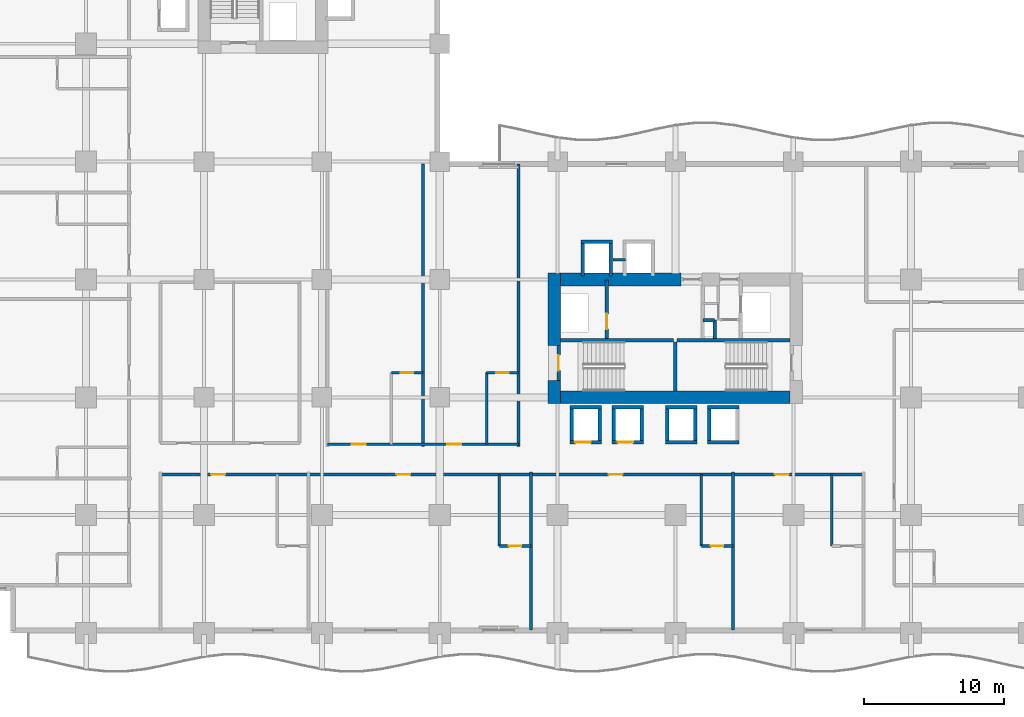
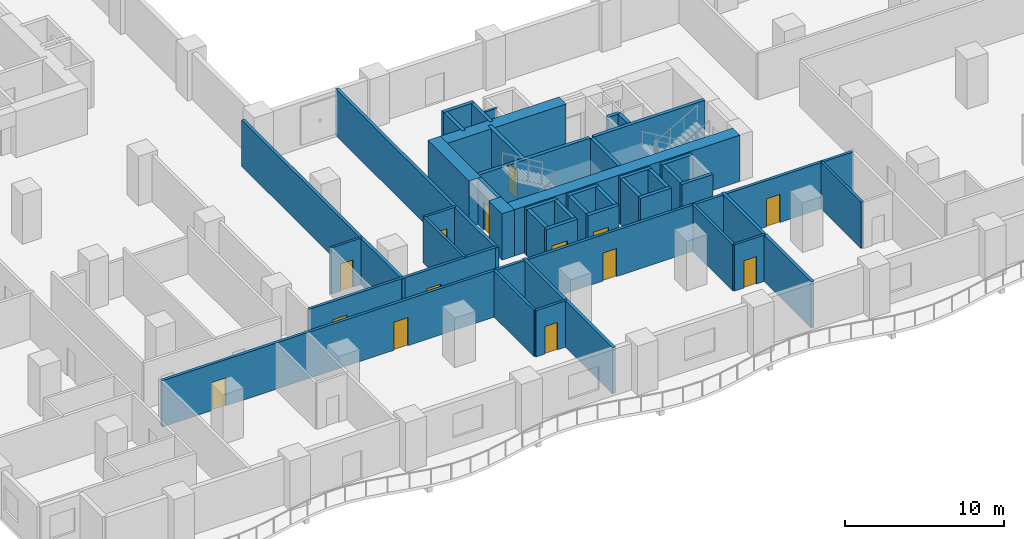
# One storey, part 6 of 20: 44 walls, 14 doors, 14 openings.
"""IFC4 building model written with IfcOpenShell, lengths in metres."""

from ifc_helpers import new_model, si_unit, direction, frame, frame_2d, origin, place, context, subcontext, project, spatial, rectangle, extrude, material, layer, layer_set, type_object, element, fill, save


model = new_model("IFC4")

# Units and contexts
model_context = context("Model", 3, precision=1e-05, world=origin(), true_north=direction((0.0, 1.0)))
body_context = subcontext(model_context, "Body", "Model", "MODEL_VIEW")
ifc_project = project(units=[si_unit("LENGTHUNIT", "METRE"), si_unit("AREAUNIT", "SQUARE_METRE"), si_unit("VOLUMEUNIT", "CUBIC_METRE"), si_unit("PLANEANGLEUNIT", "RADIAN"), si_unit("MASSUNIT", "GRAM", prefix="KILO")], contexts=[model_context])

# Site, building, storey
site_placement = place(None, origin())
site = spatial("IfcSite", under=ifc_project, at=site_placement, CompositionType="ELEMENT")
building_placement = place(site_placement, origin())
building = spatial("IfcBuilding", under=site, at=building_placement, Name="Koriwani Terraces Tower", CompositionType="ELEMENT")
storey_placement = place(building_placement, frame((0.0, 0.0, 73.800048828125)))
storey = spatial("IfcBuildingStorey", under=building, at=storey_placement, Name="L17", CompositionType="ELEMENT", Elevation=73.800048828125)

# Walls
ifc_material_1 = material(Name="Concrete C60/75", Category="concrete")
ifc_layer_1 = layer(ifc_material_1, 0.89990234375, Name="Concrete C60/75")
ifc_layer_set_1 = layer_set([ifc_layer_1], Name="Concrete C60/75")
wall_type_1 = type_object("IfcWallType", Name="WALL_CORE_RC_900", PredefinedType="SHEAR", material=ifc_layer_set_1)
wall_1_placement = place(storey_placement, frame((41.75, 16.35009765625, 0.0), z_axis=(0.0, 0.0, 1.0), x_axis=(0.0, 1.0, 0.0)))
element("IfcWall", 1, at=wall_1_placement, inside=storey, type_object=wall_type_1, Name="L17 East Split Core Shear Wall W1", PredefinedType="SHEAR", context=body_context, shape_type="SweptSolid", body=[
    extrude(rectangle(XDim=1.64990234375, YDim=0.89990234375, at=frame_2d((0.824951171875, 0.0))), origin(), (0.0, 0.0, 1.0), 3.550048828125),
])
wall_2_placement = place(storey_placement, frame((41.75, 20.5, 0.0), z_axis=(0.0, 0.0, 1.0), x_axis=(0.0, 1.0, 0.0)))
element("IfcWall", 2, at=wall_2_placement, inside=storey, type_object=wall_type_1, Name="L17 East Split Core Shear Wall W2", PredefinedType="SHEAR", context=body_context, shape_type="SweptSolid", body=[
    extrude(rectangle(XDim=5.14990234375, YDim=0.89990234375, at=frame_2d((2.574951171875, 0.0))), origin(), (0.0, 0.0, 1.0), 3.550048828125),
])
wall_3_placement = place(storey_placement, frame((42.199951171875, 16.800048828125, 0.0), z_axis=(0.0, 0.0, 1.0), x_axis=(1.0, 0.0, 0.0)))
element("IfcWall", 3, at=wall_3_placement, inside=storey, type_object=wall_type_1, Name="L17 East Split Core Shear Wall S1", PredefinedType="SHEAR", context=body_context, shape_type="SweptSolid", body=[
    extrude(rectangle(XDim=16.35009765625, YDim=0.89990234375, at=frame_2d((8.175048828125, 0.0))), origin(), (0.0, 0.0, 1.0), 3.550048828125),
])
wall_4_placement = place(storey_placement, frame((42.199951171875, 25.199951171875, 0.0), z_axis=(0.0, 0.0, 1.0), x_axis=(1.0, 0.0, 0.0)))
element("IfcWall", 4, at=wall_4_placement, inside=storey, type_object=wall_type_1, Name="L17 East Split Core Shear Wall N1", PredefinedType="SHEAR", context=body_context, shape_type="SweptSolid", body=[
    extrude(rectangle(XDim=8.60009765625, YDim=0.89990234375, at=frame_2d((4.300048828125, 0.0))), origin(), (0.0, 0.0, 1.0), 3.550048828125),
])

# Wall, openings, doors
ifc_material_2 = material(Name="Autoclaved Cellular Concrete Blockwork", Category="masonry")
ifc_layer_2 = layer(ifc_material_2, 0.199951171875, Name="Autoclaved Cellular Concrete Blockwork")
ifc_layer_set_2 = layer_set([ifc_layer_2], Name="Autoclaved Cellular Concrete Blockwork")
wall_type_2 = type_object("IfcWallType", Name="WALL_CORRIDOR_200", PredefinedType="PARTITIONING", material=ifc_layer_set_2)
wall_5_placement = place(storey_placement, frame((25.60009765625, 13.449951171875, 0.0), z_axis=(0.0, 0.0, 1.0), x_axis=(1.0, 0.0, 0.0)))
wall_5 = element("IfcWall", 5, at=wall_5_placement, inside=storey, type_object=wall_type_2, Name="L17 Interior Wall WCOR-L17-SWI-0", PredefinedType="PARTITIONING", context=body_context, shape_type="SweptSolid", body=[
    extrude(rectangle(XDim=13.599853515625, YDim=0.199951171875, at=frame_2d((6.7998046875, 0.0))), origin(), (0.0, 0.0, 1.0), 3.550048828125),
])
opening_1_placement = place(wall_5_placement, frame((1.735107421875, 0.0, 0.0)))
opening_1 = element("IfcOpeningElement", 6, at=opening_1_placement, cuts=wall_5, Name="Opening D-05", PredefinedType="OPENING", context=body_context, shape_type="SweptSolid", body=[
    extrude(rectangle(XDim=1.0, YDim=2.14990234375, at=frame_2d((0.5, 1.074951171875))), frame((0.0, 0.10986328125, 0.0), z_axis=(0.0, -1.0, 0.0), x_axis=(1.0, 0.0, 0.0)), (0.0, 0.0, 1.0), 0.219970703125),
])
opening_2_placement = place(wall_5_placement, frame((8.534912109375, 0.0, 0.0)))
opening_2 = element("IfcOpeningElement", 7, at=opening_2_placement, cuts=wall_5, Name="Opening D-05", PredefinedType="OPENING", context=body_context, shape_type="SweptSolid", body=[
    extrude(rectangle(XDim=1.0, YDim=2.14990234375, at=frame_2d((0.5, 1.074951171875))), frame((0.0, 0.10986328125, 0.0), z_axis=(0.0, -1.0, 0.0), x_axis=(1.0, 0.0, 0.0)), (0.0, 0.0, 1.0), 0.219970703125),
])
ifc_material_3 = material(Name="Architectural Oak Fire Door", Category="wood")
door_type_1 = type_object("IfcDoorType", Name="DOOR_SUITE_ENTRY_1000X2150", OperationType="NOTDEFINED", PredefinedType="DOOR", material=ifc_material_3)
door_1_placement = place(opening_1_placement, origin())
door_1 = element("IfcDoor", 8, at=door_1_placement, inside=storey, type_object=door_type_1, Name="Luxury Hotel Suite 17SWI1 Entrance Door", OperationType="SINGLE_SWING_LEFT", OverallHeight=2.14990234375, OverallWidth=1.0, PredefinedType="DOOR", context=body_context, shape_type="SweptSolid", body=[
    extrude(rectangle(XDim=1.0, YDim=2.14990234375, at=frame_2d((0.5, 1.074951171875))), frame((0.0, 0.02490234375, 0.0), z_axis=(0.0, -1.0, 0.0), x_axis=(1.0, 0.0, 0.0)), (0.0, 0.0, 1.0), 0.050048828125),
])
fill(opening_1, door_1)
door_2_placement = place(opening_2_placement, origin())
door_2 = element("IfcDoor", 9, at=door_2_placement, inside=storey, type_object=door_type_1, Name="Luxury Hotel Suite 17SWI2 Entrance Door", OperationType="SINGLE_SWING_LEFT", OverallHeight=2.14990234375, OverallWidth=1.0, PredefinedType="DOOR", context=body_context, shape_type="SweptSolid", body=[
    extrude(rectangle(XDim=1.0, YDim=2.14990234375, at=frame_2d((0.5, 1.074951171875))), frame((0.0, 0.02490234375, 0.0), z_axis=(0.0, -1.0, 0.0), x_axis=(1.0, 0.0, 0.0)), (0.0, 0.0, 1.0), 0.050048828125),
])
fill(opening_2, door_2)

wall_6_placement = place(storey_placement, frame((13.699951171875, 11.300048828125, 0.0), z_axis=(0.0, 0.0, 1.0), x_axis=(1.0, 0.0, 0.0)))
wall_6 = element("IfcWall", 10, at=wall_6_placement, inside=storey, type_object=wall_type_2, Name="L17 Interior Wall WCOR-L17-SW-0", PredefinedType="PARTITIONING", context=body_context, shape_type="SweptSolid", body=[
    extrude(rectangle(XDim=50.10009765625, YDim=0.199951171875, at=frame_2d((25.050048828125, 0.0))), origin(), (0.0, 0.0, 1.0), 3.550048828125),
])
opening_3_placement = place(wall_6_placement, frame((3.610107421875, 0.0, 0.0)))
opening_3 = element("IfcOpeningElement", 11, at=opening_3_placement, cuts=wall_6, Name="Opening D-05", PredefinedType="OPENING", context=body_context, shape_type="SweptSolid", body=[
    extrude(rectangle(XDim=1.0, YDim=2.14990234375, at=frame_2d((0.5, 1.074951171875))), frame((0.0, 0.10986328125, 0.0), z_axis=(0.0, -1.0, 0.0), x_axis=(1.0, 0.0, 0.0)), (0.0, 0.0, 1.0), 0.219970703125),
])
opening_4_placement = place(wall_6_placement, frame((16.81005859375, 0.0, 0.0)))
opening_4 = element("IfcOpeningElement", 12, at=opening_4_placement, cuts=wall_6, Name="Opening D-05", PredefinedType="OPENING", context=body_context, shape_type="SweptSolid", body=[
    extrude(rectangle(XDim=1.0, YDim=2.14990234375, at=frame_2d((0.5, 1.074951171875))), frame((0.0, 0.10986328125, 0.0), z_axis=(0.0, -1.0, 0.0), x_axis=(1.0, 0.0, 0.0)), (0.0, 0.0, 1.0), 0.219970703125),
])
opening_5_placement = place(wall_6_placement, frame((31.93505859375, 0.0, 0.0)))
opening_5 = element("IfcOpeningElement", 13, at=opening_5_placement, cuts=wall_6, Name="Opening D-05", PredefinedType="OPENING", context=body_context, shape_type="SweptSolid", body=[
    extrude(rectangle(XDim=1.0, YDim=2.14990234375, at=frame_2d((0.5, 1.074951171875))), frame((0.0, 0.10986328125, 0.0), z_axis=(0.0, -1.0, 0.0), x_axis=(1.0, 0.0, 0.0)), (0.0, 0.0, 1.0), 0.219970703125),
])
opening_6_placement = place(wall_6_placement, frame((43.784912109375, 0.0, 0.0)))
opening_6 = element("IfcOpeningElement", 14, at=opening_6_placement, cuts=wall_6, Name="Opening D-05", PredefinedType="OPENING", context=body_context, shape_type="SweptSolid", body=[
    extrude(rectangle(XDim=1.0, YDim=2.14990234375, at=frame_2d((0.5, 1.074951171875))), frame((0.0, 0.10986328125, 0.0), z_axis=(0.0, -1.0, 0.0), x_axis=(1.0, 0.0, 0.0)), (0.0, 0.0, 1.0), 0.219970703125),
])
door_3_placement = place(opening_3_placement, origin())
door_3 = element("IfcDoor", 15, at=door_3_placement, inside=storey, type_object=door_type_1, Name="Luxury Hotel Suite 17SW1 Entrance Door", OperationType="SINGLE_SWING_LEFT", OverallHeight=2.14990234375, OverallWidth=1.0, PredefinedType="DOOR", context=body_context, shape_type="SweptSolid", body=[
    extrude(rectangle(XDim=1.0, YDim=2.14990234375, at=frame_2d((0.5, 1.074951171875))), frame((0.0, 0.02490234375, 0.0), z_axis=(0.0, -1.0, 0.0), x_axis=(1.0, 0.0, 0.0)), (0.0, 0.0, 1.0), 0.050048828125),
])
fill(opening_3, door_3)
door_4_placement = place(opening_4_placement, origin())
door_4 = element("IfcDoor", 16, at=door_4_placement, inside=storey, type_object=door_type_1, Name="Luxury Hotel Suite 17SW2 Entrance Door", OperationType="SINGLE_SWING_LEFT", OverallHeight=2.14990234375, OverallWidth=1.0, PredefinedType="DOOR", context=body_context, shape_type="SweptSolid", body=[
    extrude(rectangle(XDim=1.0, YDim=2.14990234375, at=frame_2d((0.5, 1.074951171875))), frame((0.0, 0.02490234375, 0.0), z_axis=(0.0, -1.0, 0.0), x_axis=(1.0, 0.0, 0.0)), (0.0, 0.0, 1.0), 0.050048828125),
])
fill(opening_4, door_4)
door_5_placement = place(opening_5_placement, origin())
door_5 = element("IfcDoor", 17, at=door_5_placement, inside=storey, type_object=door_type_1, Name="Luxury Hotel Suite 17SW3 Entrance Door", OperationType="SINGLE_SWING_LEFT", OverallHeight=2.14990234375, OverallWidth=1.0, PredefinedType="DOOR", context=body_context, shape_type="SweptSolid", body=[
    extrude(rectangle(XDim=1.0, YDim=2.14990234375, at=frame_2d((0.5, 1.074951171875))), frame((0.0, 0.02490234375, 0.0), z_axis=(0.0, -1.0, 0.0), x_axis=(1.0, 0.0, 0.0)), (0.0, 0.0, 1.0), 0.050048828125),
])
fill(opening_5, door_5)
door_6_placement = place(opening_6_placement, origin())
door_6 = element("IfcDoor", 18, at=door_6_placement, inside=storey, type_object=door_type_1, Name="Luxury Hotel Suite 17SW4 Entrance Door", OperationType="SINGLE_SWING_LEFT", OverallHeight=2.14990234375, OverallWidth=1.0, PredefinedType="DOOR", context=body_context, shape_type="SweptSolid", body=[
    extrude(rectangle(XDim=1.0, YDim=2.14990234375, at=frame_2d((0.5, 1.074951171875))), frame((0.0, 0.02490234375, 0.0), z_axis=(0.0, -1.0, 0.0), x_axis=(1.0, 0.0, 0.0)), (0.0, 0.0, 1.0), 0.050048828125),
])
fill(opening_6, door_6)

# Walls
ifc_layer_3 = layer(ifc_material_2, 0.219970703125, Name="Autoclaved Cellular Concrete Blockwork")
ifc_layer_set_3 = layer_set([ifc_layer_3], Name="Autoclaved Cellular Concrete Blockwork")
wall_type_3 = type_object("IfcWallType", Name="WALL_DEMISING_220", PredefinedType="PARTITIONING", material=ifc_layer_set_3)
for number, where, z_axis, x_axis, name in (
    (19, (32.39990234375, 13.300048828125, 0.0), (0.0, 0.0, 1.0), (0.0, 1.0, 0.0), "L17 Interior Wall WDEM-L17-SWI-1"),
    (20, (39.199951171875, 13.300048828125, 0.0), (0.0, 0.0, 1.0), (0.0, 1.0, 0.0), "L17 Interior Wall WDEME-L17-SWI"),
):
    element("IfcWall", number, at=place(storey_placement, frame(where, z_axis=z_axis, x_axis=x_axis)), inside=storey, type_object=wall_type_3, Name=name, PredefinedType="PARTITIONING", context=body_context, shape_type="SweptSolid", body=[
        extrude(rectangle(XDim=20.1298828125, YDim=0.219970703125, at=frame_2d((10.06494140625, 0.0))), origin(), (0.0, 0.0, 1.0), 3.550048828125),
    ])
for number, where, z_axis, x_axis, name in (
    (21, (40.10009765625, 0.199951171875, 0.0), (0.0, 0.0, 1.0), (0.0, 1.0, 0.0), "L17 Interior Wall WDEM-L17-SW-2"),
    (22, (54.5, 0.199951171875, 0.0), (0.0, 0.0, 1.0), (0.0, 1.0, 0.0), "L17 Interior Wall WDEM-L17-SW-3"),
):
    element("IfcWall", number, at=place(storey_placement, frame(where, z_axis=z_axis, x_axis=x_axis)), inside=storey, type_object=wall_type_3, Name=name, PredefinedType="PARTITIONING", context=body_context, shape_type="SweptSolid", body=[
        extrude(rectangle(XDim=11.280029296875, YDim=0.219970703125, at=frame_2d((5.64013671875, 0.0))), origin(), (0.0, 0.0, 1.0), 3.550048828125),
    ])

# Wall, opening, door
ifc_material_4 = material(Name="Fire-Rated Acoustic Gypsum Partition", Category="masonry")
ifc_layer_4 = layer(ifc_material_4, 0.179931640625, Name="Fire-Rated Acoustic Gypsum Partition")
ifc_layer_set_4 = layer_set([ifc_layer_4], Name="Fire-Rated Acoustic Gypsum Partition")
wall_type_4 = type_object("IfcWallType", Name="WALL_PLUMBING_180", PredefinedType="PLUMBINGWALL", material=ifc_layer_set_4)
wall_7_placement = place(storey_placement, frame((30.14990234375, 18.550048828125, 0.0), z_axis=(0.0, 0.0, 1.0), x_axis=(1.0, 0.0, 0.0)))
wall_7 = element("IfcWall", 23, at=wall_7_placement, inside=storey, type_object=wall_type_4, Name="L17 Interior Wall WBTH1-L17-SWI-0", PredefinedType="PLUMBINGWALL", context=body_context, shape_type="SweptSolid", body=[
    extrude(rectangle(XDim=2.25, YDim=0.179931640625, at=frame_2d((1.125, 0.0))), origin(), (0.0, 0.0, 1.0), 3.550048828125),
])
opening_7_placement = place(wall_7_placement, frame((0.675048828125, 0.0, 0.0)))
opening_7 = element("IfcOpeningElement", 24, at=opening_7_placement, cuts=wall_7, Name="Opening D-07", PredefinedType="OPENING", context=body_context, shape_type="SweptSolid", body=[
    extrude(rectangle(XDim=0.89990234375, YDim=2.10009765625, at=frame_2d((0.449951171875, 1.050048828125))), frame((0.0, 0.10009765625, 0.0), z_axis=(0.0, -1.0, 0.0), x_axis=(1.0, 0.0, 0.0)), (0.0, 0.0, 1.0), 0.199951171875),
])
door_type_2 = type_object("IfcDoorType", Name="DOOR_BATH_INT_900X2100", OperationType="NOTDEFINED", PredefinedType="DOOR", material=ifc_material_3)
door_7_placement = place(opening_7_placement, origin())
door_7 = element("IfcDoor", 25, at=door_7_placement, inside=storey, type_object=door_type_2, Name="En-Suite Bathroom 17SWI1 Door", OperationType="SINGLE_SWING_RIGHT", OverallHeight=2.10009765625, OverallWidth=0.89990234375, PredefinedType="DOOR", context=body_context, shape_type="SweptSolid", body=[
    extrude(rectangle(XDim=0.89990234375, YDim=2.10009765625, at=frame_2d((0.449951171875, 1.050048828125))), frame((0.0, 0.02490234375, 0.0), z_axis=(0.0, -1.0, 0.0), x_axis=(1.0, 0.0, 0.0)), (0.0, 0.0, 1.0), 0.050048828125),
])
fill(opening_7, door_7)

wall_8_placement = place(storey_placement, frame((36.949951171875, 18.550048828125, 0.0), z_axis=(0.0, 0.0, 1.0), x_axis=(1.0, 0.0, 0.0)))
wall_8 = element("IfcWall", 26, at=wall_8_placement, inside=storey, type_object=wall_type_4, Name="L17 Interior Wall WBTH1-L17-SWI-1", PredefinedType="PLUMBINGWALL", context=body_context, shape_type="SweptSolid", body=[
    extrude(rectangle(XDim=2.25, YDim=0.179931640625, at=frame_2d((1.125, 0.0))), origin(), (0.0, 0.0, 1.0), 3.550048828125),
])
opening_8_placement = place(wall_8_placement, frame((0.675048828125, 0.0, 0.0)))
opening_8 = element("IfcOpeningElement", 27, at=opening_8_placement, cuts=wall_8, Name="Opening D-07", PredefinedType="OPENING", context=body_context, shape_type="SweptSolid", body=[
    extrude(rectangle(XDim=0.89990234375, YDim=2.10009765625, at=frame_2d((0.449951171875, 1.050048828125))), frame((0.0, 0.10009765625, 0.0), z_axis=(0.0, -1.0, 0.0), x_axis=(1.0, 0.0, 0.0)), (0.0, 0.0, 1.0), 0.199951171875),
])
door_8_placement = place(opening_8_placement, origin())
door_8 = element("IfcDoor", 28, at=door_8_placement, inside=storey, type_object=door_type_2, Name="En-Suite Bathroom 17SWI2 Door", OperationType="SINGLE_SWING_RIGHT", OverallHeight=2.10009765625, OverallWidth=0.89990234375, PredefinedType="DOOR", context=body_context, shape_type="SweptSolid", body=[
    extrude(rectangle(XDim=0.89990234375, YDim=2.10009765625, at=frame_2d((0.449951171875, 1.050048828125))), frame((0.0, 0.02490234375, 0.0), z_axis=(0.0, -1.0, 0.0), x_axis=(1.0, 0.0, 0.0)), (0.0, 0.0, 1.0), 0.050048828125),
])
fill(opening_8, door_8)

# Wall
wall_9_placement = place(storey_placement, frame((36.949951171875, 13.449951171875, 0.0), z_axis=(0.0, 0.0, 1.0), x_axis=(0.0, 1.0, 0.0)))
element("IfcWall", 29, at=wall_9_placement, inside=storey, type_object=wall_type_4, Name="L17 Interior Wall WBTH2-L17-SWI-1", PredefinedType="PLUMBINGWALL", context=body_context, shape_type="SweptSolid", body=[
    extrude(rectangle(XDim=5.10009765625, YDim=0.179931640625, at=frame_2d((2.550048828125, 0.0))), origin(), (0.0, 0.0, 1.0), 3.550048828125),
])

# Wall, opening, door
wall_10_placement = place(storey_placement, frame((37.85009765625, 6.199951171875, 0.0), z_axis=(0.0, 0.0, 1.0), x_axis=(1.0, 0.0, 0.0)))
wall_10 = element("IfcWall", 30, at=wall_10_placement, inside=storey, type_object=wall_type_4, Name="L17 Interior Wall WBTH1-L17-SW-1", PredefinedType="PLUMBINGWALL", context=body_context, shape_type="SweptSolid", body=[
    extrude(rectangle(XDim=2.25, YDim=0.179931640625, at=frame_2d((1.125, 0.0))), origin(), (0.0, 0.0, 1.0), 3.550048828125),
])
opening_9_placement = place(wall_10_placement, frame((0.675048828125, 0.0, 0.0)))
opening_9 = element("IfcOpeningElement", 31, at=opening_9_placement, cuts=wall_10, Name="Opening D-07", PredefinedType="OPENING", context=body_context, shape_type="SweptSolid", body=[
    extrude(rectangle(XDim=0.89990234375, YDim=2.10009765625, at=frame_2d((0.449951171875, 1.050048828125))), frame((0.0, 0.10009765625, 0.0), z_axis=(0.0, -1.0, 0.0), x_axis=(1.0, 0.0, 0.0)), (0.0, 0.0, 1.0), 0.199951171875),
])
door_9_placement = place(opening_9_placement, origin())
door_9 = element("IfcDoor", 32, at=door_9_placement, inside=storey, type_object=door_type_2, Name="En-Suite Bathroom 17SW2 Door", OperationType="SINGLE_SWING_RIGHT", OverallHeight=2.10009765625, OverallWidth=0.89990234375, PredefinedType="DOOR", context=body_context, shape_type="SweptSolid", body=[
    extrude(rectangle(XDim=0.89990234375, YDim=2.10009765625, at=frame_2d((0.449951171875, 1.050048828125))), frame((0.0, 0.02490234375, 0.0), z_axis=(0.0, -1.0, 0.0), x_axis=(1.0, 0.0, 0.0)), (0.0, 0.0, 1.0), 0.050048828125),
])
fill(opening_9, door_9)

# Wall
wall_11_placement = place(storey_placement, frame((37.85009765625, 6.199951171875, 0.0), z_axis=(0.0, 0.0, 1.0), x_axis=(0.0, 1.0, 0.0)))
element("IfcWall", 33, at=wall_11_placement, inside=storey, type_object=wall_type_4, Name="L17 Interior Wall WBTH2-L17-SW-1", PredefinedType="PLUMBINGWALL", context=body_context, shape_type="SweptSolid", body=[
    extrude(rectangle(XDim=5.10009765625, YDim=0.179931640625, at=frame_2d((2.550048828125, 0.0))), origin(), (0.0, 0.0, 1.0), 3.550048828125),
])

# Wall, opening, door
wall_12_placement = place(storey_placement, frame((52.25, 6.199951171875, 0.0), z_axis=(0.0, 0.0, 1.0), x_axis=(1.0, 0.0, 0.0)))
wall_12 = element("IfcWall", 34, at=wall_12_placement, inside=storey, type_object=wall_type_4, Name="L17 Interior Wall WBTH1-L17-SW-2", PredefinedType="PLUMBINGWALL", context=body_context, shape_type="SweptSolid", body=[
    extrude(rectangle(XDim=2.25, YDim=0.179931640625, at=frame_2d((1.125, 0.0))), origin(), (0.0, 0.0, 1.0), 3.550048828125),
])
opening_10_placement = place(wall_12_placement, frame((0.675048828125, 0.0, 0.0)))
opening_10 = element("IfcOpeningElement", 35, at=opening_10_placement, cuts=wall_12, Name="Opening D-07", PredefinedType="OPENING", context=body_context, shape_type="SweptSolid", body=[
    extrude(rectangle(XDim=0.89990234375, YDim=2.10009765625, at=frame_2d((0.449951171875, 1.050048828125))), frame((0.0, 0.10009765625, 0.0), z_axis=(0.0, -1.0, 0.0), x_axis=(1.0, 0.0, 0.0)), (0.0, 0.0, 1.0), 0.199951171875),
])
door_10_placement = place(opening_10_placement, origin())
door_10 = element("IfcDoor", 36, at=door_10_placement, inside=storey, type_object=door_type_2, Name="En-Suite Bathroom 17SW3 Door", OperationType="SINGLE_SWING_RIGHT", OverallHeight=2.10009765625, OverallWidth=0.89990234375, PredefinedType="DOOR", context=body_context, shape_type="SweptSolid", body=[
    extrude(rectangle(XDim=0.89990234375, YDim=2.10009765625, at=frame_2d((0.449951171875, 1.050048828125))), frame((0.0, 0.02490234375, 0.0), z_axis=(0.0, -1.0, 0.0), x_axis=(1.0, 0.0, 0.0)), (0.0, 0.0, 1.0), 0.050048828125),
])
fill(opening_10, door_10)

# Walls
for number, where, z_axis, x_axis, name in (
    (37, (52.25, 6.199951171875, 0.0), (0.0, 0.0, 1.0), (0.0, 1.0, 0.0), "L17 Interior Wall WBTH2-L17-SW-2"),
    (38, (61.550048828125, 6.199951171875, 0.0), (0.0, 0.0, 1.0), (0.0, 1.0, 0.0), "L17 Interior Wall WBTH2-L17-SW-3"),
):
    element("IfcWall", number, at=place(storey_placement, frame(where, z_axis=z_axis, x_axis=x_axis)), inside=storey, type_object=wall_type_4, Name=name, PredefinedType="PLUMBINGWALL", context=body_context, shape_type="SweptSolid", body=[
        extrude(rectangle(XDim=5.10009765625, YDim=0.179931640625, at=frame_2d((2.550048828125, 0.0))), origin(), (0.0, 0.0, 1.0), 3.550048828125),
    ])
ifc_material_5 = material(Name="Concrete C40/50", Category="concrete")
ifc_layer_5 = layer(ifc_material_5, 0.25, Name="Concrete C40/50")
ifc_layer_set_5 = layer_set([ifc_layer_5], Name="Concrete C40/50")
wall_type_5 = type_object("IfcWallType", Name="WALL_SHAFT_RATED_250", PredefinedType="SOLIDWALL", material=ifc_layer_set_5)
for number, where, z_axis, x_axis, name in (
    (39, (42.199951171875, 20.875, 0.0), (0.0, 0.0, 1.0), (1.0, 0.0, 0.0), "L17 East Split Core Web Wall MID1"),
    (40, (50.5, 20.875, 0.0), (0.0, 0.0, 1.0), (1.0, 0.0, 0.0), "L17 East Split Core Web Wall MID2"),
):
    element("IfcWall", number, at=place(storey_placement, frame(where, z_axis=z_axis, x_axis=x_axis)), inside=storey, type_object=wall_type_5, Name=name, PredefinedType="SOLIDWALL", context=body_context, shape_type="SweptSolid", body=[
        extrude(rectangle(XDim=8.050048828125, YDim=0.25, at=frame_2d((4.02490234375, 0.0))), origin(), (0.0, 0.0, 1.0), 3.550048828125),
    ])
wall_13_placement = place(storey_placement, frame((50.375, 17.25, 0.0), z_axis=(0.0, 0.0, 1.0), x_axis=(0.0, 1.0, 0.0)))
element("IfcWall", 41, at=wall_13_placement, inside=storey, type_object=wall_type_5, Name="L17 East Split Core Stair Dividing Wall", PredefinedType="SOLIDWALL", context=body_context, shape_type="SweptSolid", body=[
    extrude(rectangle(XDim=3.5, YDim=0.25, at=frame_2d((1.75, 0.0))), origin(), (0.0, 0.0, 1.0), 3.550048828125),
])

# Wall, opening, door
wall_14_placement = place(storey_placement, frame((42.074951171875, 18.0, 0.0), z_axis=(0.0, 0.0, 1.0), x_axis=(0.0, 1.0, 0.0)))
wall_14 = element("IfcWall", 42, at=wall_14_placement, inside=storey, type_object=wall_type_5, Name="L17 Interior Wall WIN-CE-L17-STW", PredefinedType="SOLIDWALL", context=body_context, shape_type="SweptSolid", body=[
    extrude(rectangle(XDim=2.5, YDim=0.25, at=frame_2d((1.25, 0.0))), origin(), (0.0, 0.0, 1.0), 3.550048828125),
])
opening_11_placement = place(wall_14_placement, frame((0.699951171875, 0.0, 0.0)))
opening_11 = element("IfcOpeningElement", 43, at=opening_11_placement, cuts=wall_14, Name="Opening D-03", PredefinedType="OPENING", context=body_context, shape_type="SweptSolid", body=[
    extrude(rectangle(XDim=1.10009765625, YDim=2.14990234375, at=frame_2d((0.550048828125, 1.074951171875))), frame((0.0, 0.135009765625, 0.0), z_axis=(0.0, -1.0, 0.0), x_axis=(1.0, 0.0, 0.0)), (0.0, 0.0, 1.0), 0.27001953125),
])
ifc_material_6 = material(Name="Steel ASTM A572 Grade 50", Category="steel")
door_type_3 = type_object("IfcDoorType", Name="DOOR_STAIR_FIRE_1100X2150", OperationType="NOTDEFINED", PredefinedType="DOOR", material=ifc_material_6)
door_11_placement = place(opening_11_placement, origin())
door_11 = element("IfcDoor", 44, at=door_11_placement, inside=storey, type_object=door_type_3, Name="L17 Exit Stair ST-E1 Door", OperationType="SINGLE_SWING_RIGHT", OverallHeight=2.14990234375, OverallWidth=1.10009765625, PredefinedType="DOOR", context=body_context, shape_type="SweptSolid", body=[
    extrude(rectangle(XDim=1.10009765625, YDim=2.14990234375, at=frame_2d((0.550048828125, 1.074951171875))), frame((0.0, 0.02490234375, 0.0), z_axis=(0.0, -1.0, 0.0), x_axis=(1.0, 0.0, 0.0)), (0.0, 0.0, 1.0), 0.050048828125),
])
fill(opening_11, door_11)

wall_15_placement = place(storey_placement, frame((45.5, 21.0, 0.0), z_axis=(0.0, 0.0, 1.0), x_axis=(0.0, 1.0, 0.0)))
wall_15 = element("IfcWall", 45, at=wall_15_placement, inside=storey, type_object=wall_type_5, Name="L17 Interior Wall WIN-CE-L17-FE", PredefinedType="SOLIDWALL", context=body_context, shape_type="SweptSolid", body=[
    extrude(rectangle(XDim=4.14990234375, YDim=0.25, at=frame_2d((2.074951171875, 0.0))), origin(), (0.0, 0.0, 1.0), 3.550048828125),
])
opening_12_placement = place(wall_15_placement, frame((0.64990234375, 0.0, 0.0)))
opening_12 = element("IfcOpeningElement", 46, at=opening_12_placement, cuts=wall_15, Name="Opening LD-01", PredefinedType="OPENING", context=body_context, shape_type="SweptSolid", body=[
    extrude(rectangle(XDim=1.10009765625, YDim=2.14990234375, at=frame_2d((0.550048828125, 1.074951171875))), frame((0.0, 0.135009765625, 0.0), z_axis=(0.0, -1.0, 0.0), x_axis=(1.0, 0.0, 0.0)), (0.0, 0.0, 1.0), 0.27001953125),
])
door_type_4 = type_object("IfcDoorType", Name="DOOR_LIFT_LANDING_1100X2200", OperationType="NOTDEFINED", PredefinedType="DOOR", material=ifc_material_6)
door_12_placement = place(opening_12_placement, origin())
door_12 = element("IfcDoor", 47, at=door_12_placement, inside=storey, type_object=door_type_4, Name="L17 Firefighting Lift FE-02 Landing Door", OperationType="SLIDING_TO_LEFT", OverallHeight=2.14990234375, OverallWidth=1.10009765625, PredefinedType="DOOR", context=body_context, shape_type="SweptSolid", body=[
    extrude(rectangle(XDim=1.10009765625, YDim=2.14990234375, at=frame_2d((0.550048828125, 1.074951171875))), frame((0.0, 0.02490234375, 0.0), z_axis=(0.0, -1.0, 0.0), x_axis=(1.0, 0.0, 0.0)), (0.0, 0.0, 1.0), 0.050048828125),
])
fill(opening_12, door_12)

# Walls
wall_16_placement = place(storey_placement, frame((53.199951171875, 21.0, 0.0), z_axis=(0.0, 0.0, 1.0), x_axis=(0.0, 1.0, 0.0)))
element("IfcWall", 48, at=wall_16_placement, inside=storey, type_object=wall_type_5, Name="L17 Interior Wall WIN-CE-L17-RS1", PredefinedType="SOLIDWALL", context=body_context, shape_type="SweptSolid", body=[
    extrude(rectangle(XDim=1.300048828125, YDim=0.25, at=frame_2d((0.64990234375, 0.0))), origin(), (0.0, 0.0, 1.0), 3.550048828125),
])
wall_17_placement = place(storey_placement, frame((52.360107421875, 22.300048828125, 0.0), z_axis=(0.0, 0.0, 1.0), x_axis=(1.0, 0.0, 0.0)))
element("IfcWall", 49, at=wall_17_placement, inside=storey, type_object=wall_type_5, Name="L17 Interior Wall WIN-CE-L17-RS2", PredefinedType="SOLIDWALL", context=body_context, shape_type="SweptSolid", body=[
    extrude(rectangle(XDim=0.83984375, YDim=0.25, at=frame_2d((0.419921875, 0.0))), origin(), (0.0, 0.0, 1.0), 3.550048828125),
])

# Wall, opening, door
wall_18_placement = place(storey_placement, frame((42.875, 13.60009765625, 0.0), z_axis=(0.0, 0.0, 1.0), x_axis=(1.0, 0.0, 0.0)))
wall_18 = element("IfcWall", 50, at=wall_18_placement, inside=storey, type_object=wall_type_5, Name="L17 Interior Wall WIN-LF-PE-L3-L17-F", PredefinedType="SOLIDWALL", context=body_context, shape_type="SweptSolid", body=[
    extrude(rectangle(XDim=2.25, YDim=0.25, at=frame_2d((1.125, 0.0))), origin(), (0.0, 0.0, 1.0), 3.550048828125),
])
opening_13_placement = place(wall_18_placement, frame((0.39990234375, 0.0, 0.0)))
opening_13 = element("IfcOpeningElement", 51, at=opening_13_placement, cuts=wall_18, Name="Opening LD-01", PredefinedType="OPENING", context=body_context, shape_type="SweptSolid", body=[
    extrude(rectangle(XDim=1.10009765625, YDim=2.14990234375, at=frame_2d((0.550048828125, 1.074951171875))), frame((0.0, 0.135009765625, 0.0), z_axis=(0.0, -1.0, 0.0), x_axis=(1.0, 0.0, 0.0)), (0.0, 0.0, 1.0), 0.27001953125),
])
door_13_placement = place(opening_13_placement, origin())
door_13 = element("IfcDoor", 52, at=door_13_placement, inside=storey, type_object=door_type_4, Name="L17 Passenger Lift PE-L3 Landing Door", OperationType="SLIDING_TO_LEFT", OverallHeight=2.14990234375, OverallWidth=1.10009765625, PredefinedType="DOOR", context=body_context, shape_type="SweptSolid", body=[
    extrude(rectangle(XDim=1.10009765625, YDim=2.14990234375, at=frame_2d((0.550048828125, 1.074951171875))), frame((0.0, 0.02490234375, 0.0), z_axis=(0.0, -1.0, 0.0), x_axis=(1.0, 0.0, 0.0)), (0.0, 0.0, 1.0), 0.050048828125),
])
fill(opening_13, door_13)

# Walls
for number, where, z_axis, x_axis, name in (
    (53, (42.875, 16.10009765625, 0.0), (0.0, 0.0, 1.0), (1.0, 0.0, 0.0), "L17 Interior Wall WIN-LF-PE-L3-L17-B"),
    (54, (43.0, 13.72509765625, 0.0), (0.0, 0.0, 1.0), (0.0, 1.0, 0.0), "L17 Interior Wall WIN-LF-PE-L3-L17-W"),
    (55, (45.0, 13.72509765625, 0.0), (0.0, 0.0, 1.0), (0.0, 1.0, 0.0), "L17 Interior Wall WIN-LF-PE-L3-L17-E"),
):
    element("IfcWall", number, at=place(storey_placement, frame(where, z_axis=z_axis, x_axis=x_axis)), inside=storey, type_object=wall_type_5, Name=name, PredefinedType="SOLIDWALL", context=body_context, shape_type="SweptSolid", body=[
        extrude(rectangle(XDim=2.25, YDim=0.25, at=frame_2d((1.125, 0.0))), origin(), (0.0, 0.0, 1.0), 3.550048828125),
    ])

# Wall, opening, door
wall_19_placement = place(storey_placement, frame((45.875, 13.60009765625, 0.0), z_axis=(0.0, 0.0, 1.0), x_axis=(1.0, 0.0, 0.0)))
wall_19 = element("IfcWall", 56, at=wall_19_placement, inside=storey, type_object=wall_type_5, Name="L17 Interior Wall WIN-LF-PE-L4-L17-F", PredefinedType="SOLIDWALL", context=body_context, shape_type="SweptSolid", body=[
    extrude(rectangle(XDim=2.25, YDim=0.25, at=frame_2d((1.125, 0.0))), origin(), (0.0, 0.0, 1.0), 3.550048828125),
])
opening_14_placement = place(wall_19_placement, frame((0.39990234375, 0.0, 0.0)))
opening_14 = element("IfcOpeningElement", 57, at=opening_14_placement, cuts=wall_19, Name="Opening LD-01", PredefinedType="OPENING", context=body_context, shape_type="SweptSolid", body=[
    extrude(rectangle(XDim=1.10009765625, YDim=2.14990234375, at=frame_2d((0.550048828125, 1.074951171875))), frame((0.0, 0.135009765625, 0.0), z_axis=(0.0, -1.0, 0.0), x_axis=(1.0, 0.0, 0.0)), (0.0, 0.0, 1.0), 0.27001953125),
])
door_14_placement = place(opening_14_placement, origin())
door_14 = element("IfcDoor", 58, at=door_14_placement, inside=storey, type_object=door_type_4, Name="L17 Passenger Lift PE-L4 Landing Door", OperationType="SLIDING_TO_LEFT", OverallHeight=2.14990234375, OverallWidth=1.10009765625, PredefinedType="DOOR", context=body_context, shape_type="SweptSolid", body=[
    extrude(rectangle(XDim=1.10009765625, YDim=2.14990234375, at=frame_2d((0.550048828125, 1.074951171875))), frame((0.0, 0.02490234375, 0.0), z_axis=(0.0, -1.0, 0.0), x_axis=(1.0, 0.0, 0.0)), (0.0, 0.0, 1.0), 0.050048828125),
])
fill(opening_14, door_14)

# Walls
for number, where, z_axis, x_axis, name in (
    (59, (45.875, 16.10009765625, 0.0), (0.0, 0.0, 1.0), (1.0, 0.0, 0.0), "L17 Interior Wall WIN-LF-PE-L4-L17-B"),
    (60, (46.0, 13.72509765625, 0.0), (0.0, 0.0, 1.0), (0.0, 1.0, 0.0), "L17 Interior Wall WIN-LF-PE-L4-L17-W"),
    (61, (48.0, 13.72509765625, 0.0), (0.0, 0.0, 1.0), (0.0, 1.0, 0.0), "L17 Interior Wall WIN-LF-PE-L4-L17-E"),
    (62, (49.675048828125, 13.60009765625, 0.0), (0.0, 0.0, 1.0), (1.0, 0.0, 0.0), "L17 Interior Wall WIN-LF-PE-M3-L17-F"),
    (63, (49.675048828125, 16.10009765625, 0.0), (0.0, 0.0, 1.0), (1.0, 0.0, 0.0), "L17 Interior Wall WIN-LF-PE-M3-L17-B"),
    (64, (49.800048828125, 13.72509765625, 0.0), (0.0, 0.0, 1.0), (0.0, 1.0, 0.0), "L17 Interior Wall WIN-LF-PE-M3-L17-W"),
    (65, (51.800048828125, 13.72509765625, 0.0), (0.0, 0.0, 1.0), (0.0, 1.0, 0.0), "L17 Interior Wall WIN-LF-PE-M3-L17-E"),
    (66, (52.675048828125, 13.60009765625, 0.0), (0.0, 0.0, 1.0), (1.0, 0.0, 0.0), "L17 Interior Wall WIN-LF-PE-M4-L17-F"),
    (67, (52.675048828125, 16.10009765625, 0.0), (0.0, 0.0, 1.0), (1.0, 0.0, 0.0), "L17 Interior Wall WIN-LF-PE-M4-L17-B"),
    (68, (52.800048828125, 13.72509765625, 0.0), (0.0, 0.0, 1.0), (0.0, 1.0, 0.0), "L17 Interior Wall WIN-LF-PE-M4-L17-W"),
    (69, (43.675048828125, 27.89990234375, 0.0), (0.0, 0.0, 1.0), (1.0, 0.0, 0.0), "L17 Interior Wall WIN-LF-PE-H3-L17-F"),
):
    element("IfcWall", number, at=place(storey_placement, frame(where, z_axis=z_axis, x_axis=x_axis)), inside=storey, type_object=wall_type_5, Name=name, PredefinedType="SOLIDWALL", context=body_context, shape_type="SweptSolid", body=[
        extrude(rectangle(XDim=2.25, YDim=0.25, at=frame_2d((1.125, 0.0))), origin(), (0.0, 0.0, 1.0), 3.550048828125),
    ])
for number, where, z_axis, x_axis, name in (
    (70, (43.800048828125, 25.449951171875, 0.0), (0.0, 0.0, 1.0), (0.0, 1.0, 0.0), "L17 Interior Wall WIN-LF-PE-H3-L17-W"),
    (71, (45.800048828125, 25.449951171875, 0.0), (0.0, 0.0, 1.0), (0.0, 1.0, 0.0), "L17 Interior Wall WIN-LF-PE-H3-L17-E"),
):
    element("IfcWall", number, at=place(storey_placement, frame(where, z_axis=z_axis, x_axis=x_axis)), inside=storey, type_object=wall_type_5, Name=name, PredefinedType="SOLIDWALL", context=body_context, shape_type="SweptSolid", body=[
        extrude(rectangle(XDim=2.324951171875, YDim=0.25, at=frame_2d((1.16259765625, 0.0))), origin(), (0.0, 0.0, 1.0), 3.550048828125),
    ])
ifc_layer_6 = layer(ifc_material_4, 0.159912109375, Name="Fire-Rated Acoustic Gypsum Partition")
ifc_layer_set_6 = layer_set([ifc_layer_6], Name="Fire-Rated Acoustic Gypsum Partition")
wall_type_6 = type_object("IfcWallType", Name="WALL_SUITE_160", PredefinedType="PARTITIONING", material=ifc_layer_set_6)
wall_20_placement = place(storey_placement, frame((45.9599609375, 26.60009765625, 0.0), z_axis=(0.0, 0.0, 1.0), x_axis=(1.0, 0.0, 0.0)))
element("IfcWall", 72, at=wall_20_placement, inside=storey, type_object=wall_type_6, Name="L17 Interior Wall WIN-LF-PEH34-MID-L17", PredefinedType="PARTITIONING", context=body_context, shape_type="SweptSolid", body=[
    extrude(rectangle(XDim=0.880126953125, YDim=0.159912109375, at=frame_2d((0.43994140625, 0.0))), origin(), (0.0, 0.0, 1.0), 3.550048828125),
])

save(model, "model.ifc")
